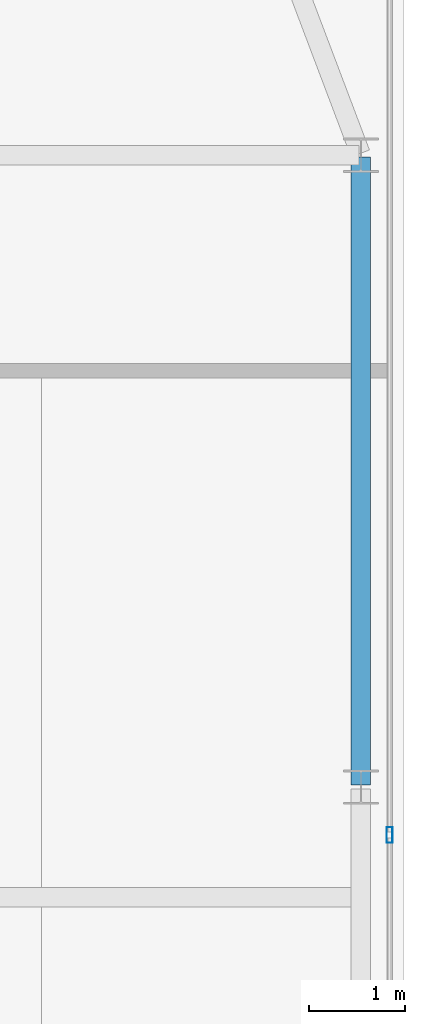
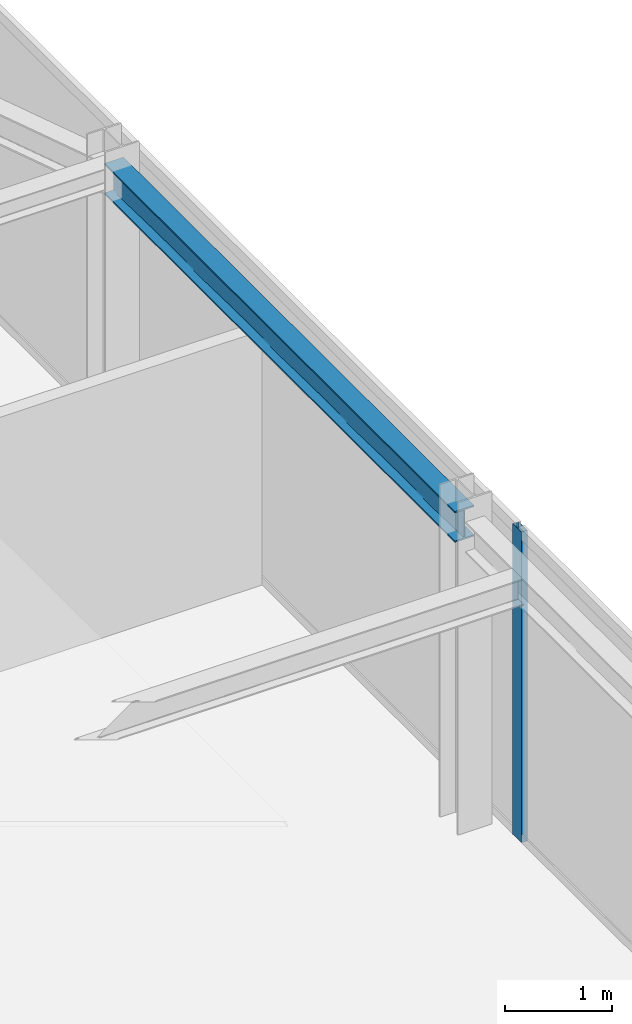
# One storey, part 16 of 27: 1 beam, 1 member, 1 element without a shape of its own.
"""IFC4 building model written with IfcOpenShell, lengths in metres."""

from ifc_helpers import new_model, si_unit, direction, frame, origin, origin_2d, place, context, subcontext, project, spatial, hollow_rectangle, i_section, extrude, source, transform, mapped, material, layer, layer_set, material_profile, profile_set, type_object, type_shapes, element, aggregate, save


model = new_model("IFC4")

# Units and contexts
model_context = context("Model", 3, precision=1e-05, world=origin(), true_north=direction((0.0, 1.0)))
body_context = subcontext(model_context, "Body", "Model", "MODEL_VIEW")
ifc_project = project(units=[si_unit("LENGTHUNIT", "METRE"), si_unit("AREAUNIT", "SQUARE_METRE"), si_unit("VOLUMEUNIT", "CUBIC_METRE"), si_unit("PLANEANGLEUNIT", "RADIAN"), si_unit("MASSUNIT", "GRAM", prefix="KILO")], contexts=[model_context])

# Site, building, storey
site_placement = place(None, origin())
site = spatial("IfcSite", under=ifc_project, at=site_placement, CompositionType="ELEMENT")
building_placement = place(site_placement, origin())
building = spatial("IfcBuilding", under=site, at=building_placement, Name="Varnel Quay Broadcast Tower", CompositionType="ELEMENT")
storey_placement = place(building_placement, frame((0.0, 0.0, 243.199951171875)))
storey = spatial("IfcBuildingStorey", under=building, at=storey_placement, Name="L60", CompositionType="ELEMENT", Elevation=243.199951171875)

# Beam
ifc_material_1 = material(Name="Structural Steel CSA G40.21 350W", Category="steel")
ifc_material_profile_1 = material_profile(ifc_material_1, i_section(OverallWidth=0.205078125, OverallDepth=0.35400390625, WebThickness=0.009521484375, FlangeThickness=0.016845703125, FilletRadius=0.012939453125, at=origin_2d()), Name="W360X79")
ifc_profile_set_1 = profile_set([ifc_material_profile_1], Name="Structural Steel CSA G40.21 350W")
beam_type = type_object("IfcBeamType", Name="Beam_W360X79", PredefinedType="SPANDREL", material=ifc_profile_set_1)
shared_shape_1 = source(origin(), body_context, "Body", "SweptSolid", [
    extrude(i_section(OverallWidth=0.205078125, OverallDepth=0.35400390625, WebThickness=0.009521484375, FlangeThickness=0.016845703125, FilletRadius=0.012939453125, at=origin_2d()), origin(), (0.0, 0.0, 1.0), 6.56005859375),
])
type_shapes(beam_type, [shared_shape_1])
beam_placement = place(storey_placement, frame((58.050048828125, 29.02001953125, 3.373046875), z_axis=(0.0, 1.0, 0.0), x_axis=(-1.0, 0.0, 0.0)))
element("IfcBeam", 1, at=beam_placement, inside=storey, type_object=beam_type, Name="L60 East Spandrel TC-E2-TC-E3", PredefinedType="SPANDREL", context=body_context, shape_type="MappedRepresentation", body=[
    mapped(shared_shape_1, transform((0.0, 0.0, 0.0), x_axis=(1.0, 0.0, 0.0), y_axis=(0.0, 1.0, 0.0), z_axis=(0.0, 0.0, 1.0), scale=1.0)),
])

# Curtain wall, member
ifc_material_2 = material(Name="Anodised Bronze Aluminium 6063-T6", Category="aluminium")
ifc_layer = layer(ifc_material_2, 0.18994140625, Name="Anodised Bronze Aluminium 6063-T6")
ifc_layer_set = layer_set([ifc_layer], Name="Anodised Bronze Aluminium 6063-T6")
curtain_wall_type = type_object("IfcCurtainWallType", Name="CW_UpperTower", PredefinedType="NOTDEFINED", material=ifc_layer_set)
curtain_wall_placement = place(storey_placement, origin())
curtain_wall = element("IfcCurtainWall", 2, at=curtain_wall_placement, inside=storey, type_object=curtain_wall_type, Name="L60 East Unitised Curtain Wall", PredefinedType="NOTDEFINED")
ifc_material_profile_2 = material_profile(ifc_material_2, hollow_rectangle(XDim=0.06494140625, YDim=0.1650390625, WallThickness=0.00341796875, at=origin_2d()), Name="ALU65X165X3.5")
ifc_profile_set_2 = profile_set([ifc_material_profile_2], Name="Anodised Bronze Aluminium 6063-T6")
member_type = type_object("IfcMemberType", Name="Mull_CWS-03", PredefinedType="MULLION", material=ifc_profile_set_2)
shared_shape_2 = source(origin(), body_context, "Body", "SweptSolid", [
    extrude(hollow_rectangle(XDim=0.06494140625, YDim=0.1650390625, WallThickness=0.00341796875, at=origin_2d()), origin(), (0.0, 0.0, 1.0), 3.550048828125),
])
type_shapes(member_type, [shared_shape_2])
member_placement = place(storey_placement, frame((58.35009765625, 28.5, 0.0), z_axis=(0.0, 0.0, 1.0), x_axis=(-1.0, 0.0, 0.0)))
member = element("IfcMember", 3, at=member_placement, type_object=member_type, Name="CWS-03 mullion 2", PredefinedType="MULLION", context=body_context, shape_type="MappedRepresentation", body=[
    mapped(shared_shape_2, transform((0.0, 0.0, 0.0), x_axis=(1.0, 0.0, 0.0), y_axis=(0.0, 1.0, 0.0), z_axis=(0.0, 0.0, 1.0), scale=1.0)),
])
aggregate(curtain_wall, [member])

save(model, "model.ifc")
